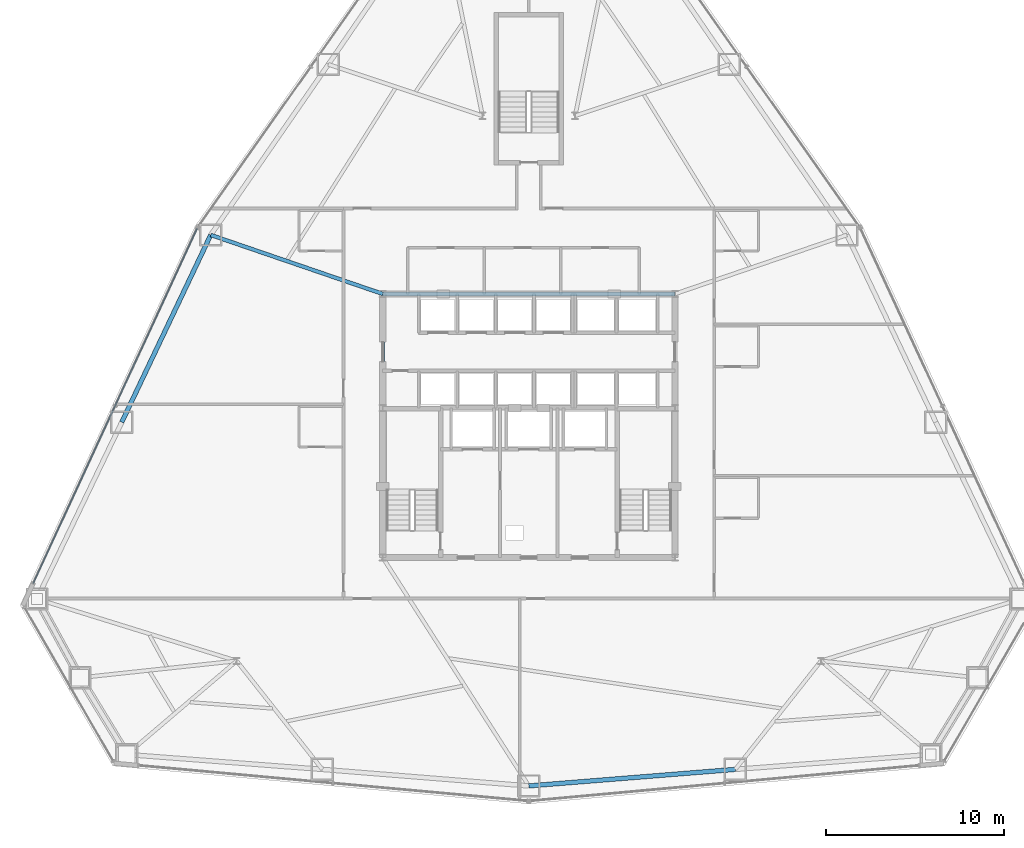
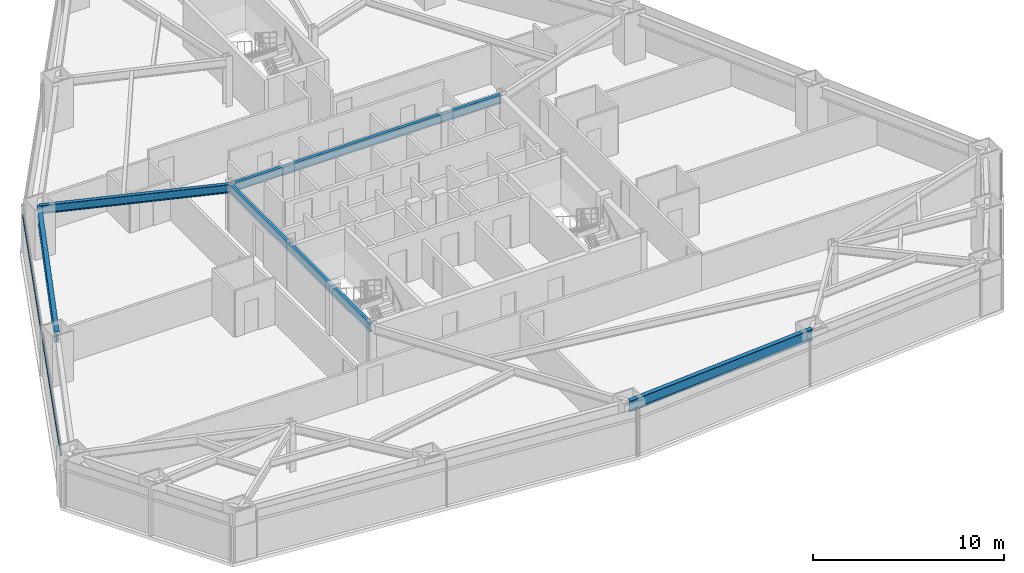
# One storey, part 5 of 12: 5 beams, 1 member, 1 element without a shape of its own.
"""IFC4 building model written with IfcOpenShell, lengths in metres."""

from ifc_helpers import new_model, si_unit, direction, frame, origin, origin_2d, place, context, subcontext, project, spatial, rectangle, i_section, extrude, source, transform, mapped, material, layer, layer_set, material_profile, profile_set, type_object, type_shapes, element, aggregate, save


model = new_model("IFC4")

# Units and contexts
model_context = context("Model", 3, precision=1e-05, world=origin(), true_north=direction((0.0, 1.0)))
body_context = subcontext(model_context, "Body", "Model", "MODEL_VIEW")
ifc_project = project(units=[si_unit("LENGTHUNIT", "METRE"), si_unit("AREAUNIT", "SQUARE_METRE"), si_unit("VOLUMEUNIT", "CUBIC_METRE"), si_unit("PLANEANGLEUNIT", "RADIAN"), si_unit("MASSUNIT", "GRAM", prefix="KILO")], contexts=[model_context])

# Site, building, storey
site_placement = place(None, origin())
site = spatial("IfcSite", under=ifc_project, at=site_placement, CompositionType="ELEMENT")
building_placement = place(site_placement, origin())
building = spatial("IfcBuilding", under=site, at=building_placement, Name="Varakhsha Concourse Tower", CompositionType="ELEMENT")
storey_placement = place(building_placement, frame((0.0, 0.0, 36.800048828125)))
storey = spatial("IfcBuildingStorey", under=building, at=storey_placement, Name="L09", CompositionType="ELEMENT", Elevation=36.800048828125)

# Beams
ifc_material_1 = material(Name="Structural Steel ASTM A992 Grade 50", Category="steel")
ifc_material_profile_1 = material_profile(ifc_material_1, i_section(OverallWidth=0.2109375, OverallDepth=0.5390625, WebThickness=0.011962890625, FlangeThickness=0.01904296875, at=origin_2d()), Name="W21X73")
ifc_profile_set_1 = profile_set([ifc_material_profile_1], Name="Structural Steel ASTM A992 Grade 50")
beam_type_1 = type_object("IfcBeamType", Name="BM-RAD-W21X73", PredefinedType="BEAM", material=ifc_profile_set_1)
beam_1_placement = place(storey_placement, frame((31.800048828125, 31.199951171875, 2.71044921875), z_axis=(1.0, 0.0, 0.0), x_axis=(0.0, 1.0, 0.0)))
element("IfcBeam", 1, at=beam_1_placement, inside=storey, type_object=beam_type_1, Name="BM-TCORE-L09-CN", PredefinedType="BEAM", context=body_context, shape_type="SweptSolid", body=[
    extrude(i_section(OverallWidth=0.2109375, OverallDepth=0.5390625, WebThickness=0.011962890625, FlangeThickness=0.01904296875, at=origin_2d()), origin(), (0.0, 0.0, 1.0), 16.39990234375),
])
beam_2_placement = place(storey_placement, frame((31.800048828125, 16.39990234375, 2.71044921875), z_axis=(0.0, 1.0, 0.0), x_axis=(-1.0, 0.0, 0.0)))
element("IfcBeam", 2, at=beam_2_placement, inside=storey, type_object=beam_type_1, Name="BM-TCORE-L09-CW", PredefinedType="BEAM", context=body_context, shape_type="SweptSolid", body=[
    extrude(i_section(OverallWidth=0.2109375, OverallDepth=0.5390625, WebThickness=0.011962890625, FlangeThickness=0.01904296875, at=origin_2d()), origin(), (0.0, 0.0, 1.0), 14.800048828125),
])
beam_3_placement = place(storey_placement, frame((31.800048828125, 31.199951171875, 2.71044921875), z_axis=(-0.945992273848, 0.324189169805, 0.0), x_axis=(-0.324189169805, -0.945992273848, 0.0)))
element("IfcBeam", 3, at=beam_3_placement, inside=storey, type_object=beam_type_1, Name="L09 Radial Floor Girder 05", PredefinedType="BEAM", context=body_context, shape_type="SweptSolid", body=[
    extrude(i_section(OverallWidth=0.2109375, OverallDepth=0.5390625, WebThickness=0.011962890625, FlangeThickness=0.01904296875, at=origin_2d()), origin(), (0.0, 0.0, 1.0), 10.20654296875),
])
ifc_material_profile_2 = material_profile(ifc_material_1, i_section(OverallWidth=0.25390625, OverallDepth=0.701904296875, WebThickness=0.014892578125, FlangeThickness=0.028076171875, at=origin_2d()), Name="W27X129")
ifc_profile_set_2 = profile_set([ifc_material_profile_2], Name="Structural Steel ASTM A992 Grade 50")
beam_type_2 = type_object("IfcBeamType", Name="BM-SPAN-W27X129", PredefinedType="SPANDREL", material=ifc_profile_set_2)
for number, where, z_axis, x_axis, name in (
    (4, (22.144775390625, 34.5087890625, 2.62890625), (-0.429213950227, -0.903202848164, 0.0), (0.903202848164, -0.429213950227, 0.0), "BM-SPAN-L09-05"),
    (5, (40.0, 3.58251953125, 2.62890625), (0.996803386739, 0.079893730572, 0.0), (-0.079893730572, 0.996803386739, 0.0), "BM-SPAN-L09-11"),
):
    element("IfcBeam", number, at=place(storey_placement, frame(where, z_axis=z_axis, x_axis=x_axis)), inside=storey, type_object=beam_type_2, Name=name, PredefinedType="SPANDREL", context=body_context, shape_type="SweptSolid", body=[
        extrude(i_section(OverallWidth=0.25390625, OverallDepth=0.701904296875, WebThickness=0.014892578125, FlangeThickness=0.028076171875, at=origin_2d()), origin(), (0.0, 0.0, 1.0), 11.63037109375),
    ])

# Curtain wall, member
ifc_material_2 = material(Name="Anodised Bronze Architectural Aluminium AA 6063-T6", Category="aluminium")
ifc_layer = layer(ifc_material_2, 0.219970703125, Name="CW-SYS-02")
ifc_layer_set = layer_set([ifc_layer], Name="Anodised Bronze Architectural Aluminium AA 6063-T6")
curtain_wall_type = type_object("IfcCurtainWallType", Name="CW-SYS-02", PredefinedType="NOTDEFINED", material=ifc_layer_set)
curtain_wall_placement = place(storey_placement, origin())
curtain_wall = element("IfcCurtainWall", 6, at=curtain_wall_placement, inside=storey, type_object=curtain_wall_type, Name="L09 Crystal Curtain Wall F3", PredefinedType="NOTDEFINED")
ifc_material_profile_3 = material_profile(ifc_material_2, rectangle(XDim=0.06494140625, YDim=0.159912109375, at=origin_2d()), Name="CWT-160X65")
ifc_profile_set_3 = profile_set([ifc_material_profile_3], Name="Anodised Bronze Architectural Aluminium AA 6063-T6")
member_type = type_object("IfcMemberType", Name="CWT-160X65", PredefinedType="USERDEFINED", material=ifc_profile_set_3)
shared_shape = source(origin(), body_context, "Body", "SweptSolid", [
    extrude(rectangle(XDim=0.06494140625, YDim=0.159912109375, at=origin_2d()), origin(), (0.0, 0.0, 1.0), 21.943359375),
])
type_shapes(member_type, [shared_shape])
member_placement = place(storey_placement, frame((12.179931640625, 14.953369140625, 2.329833984375), z_axis=(0.419268418601, 0.907862320599, 0.0), x_axis=(-0.907862320599, 0.419268418601, 0.0)))
member = element("IfcMember", 7, at=member_placement, type_object=member_type, Name="CW-L09-F3 Transom 01", ObjectType="TRANSOM", PredefinedType="USERDEFINED", context=body_context, shape_type="MappedRepresentation", body=[
    mapped(shared_shape, transform((0.0, 0.0, 0.0), scale=1.0)),
])
aggregate(curtain_wall, [member])

save(model, "model.ifc")
